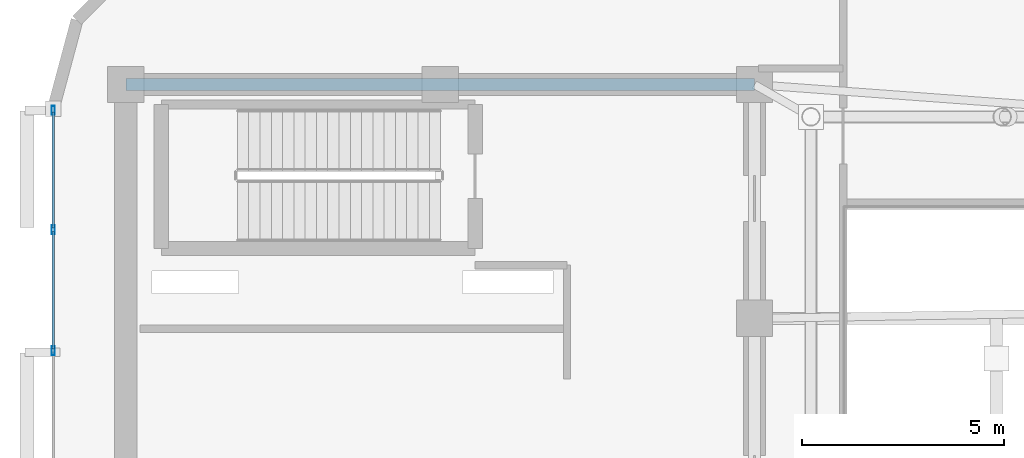
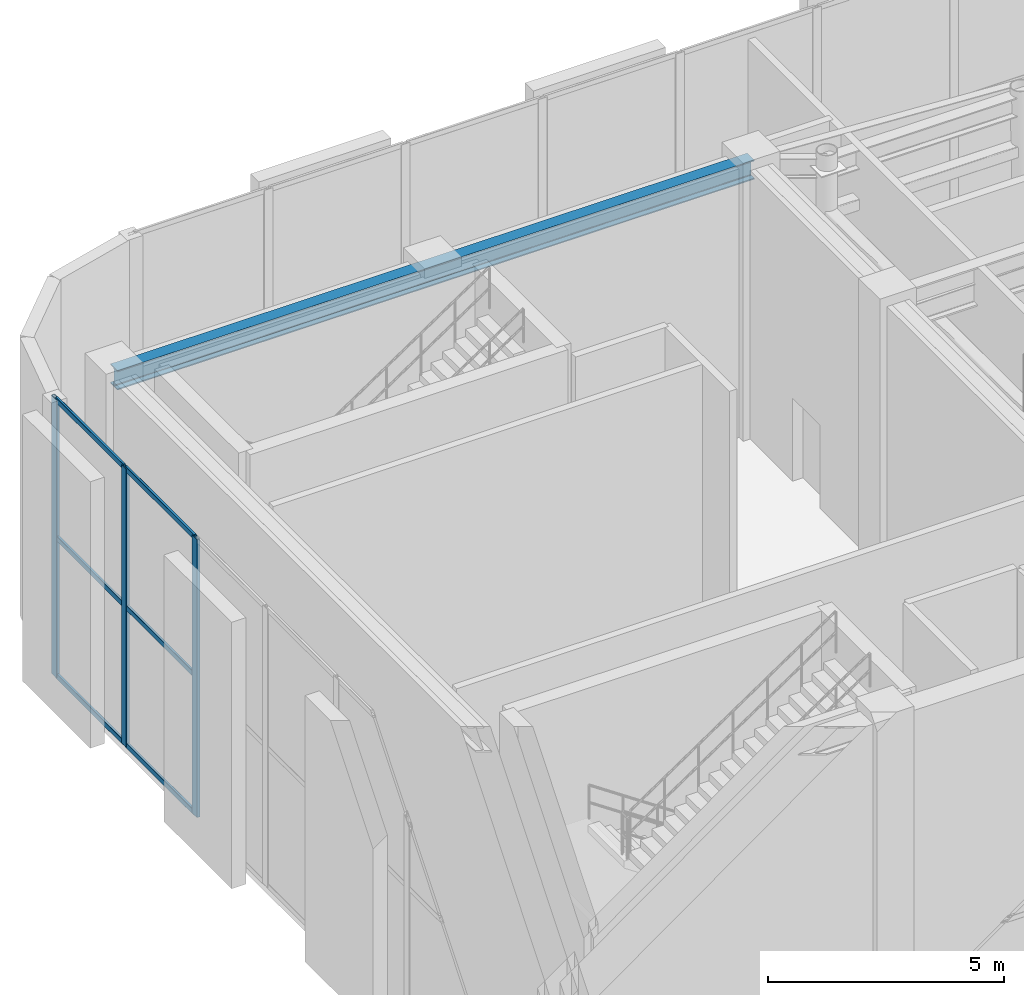
# One storey, part 7 of 20: 9 members, 1 beam, 1 element without a shape of its own.
"""IFC4 building model written with IfcOpenShell, lengths in metres."""

from ifc_helpers import new_model, si_unit, direction, frame, origin, origin_2d, place, context, subcontext, project, spatial, hollow_rectangle, i_section, extrude, material, layer, layer_set, material_profile, profile_set, type_object, element, aggregate, save


model = new_model("IFC4")

# Units and contexts
model_context = context("Model", 3, precision=1e-05, world=origin(), true_north=direction((0.0, 1.0)))
body_context = subcontext(model_context, "Body", "Model", "MODEL_VIEW")
ifc_project = project(units=[si_unit("LENGTHUNIT", "METRE"), si_unit("AREAUNIT", "SQUARE_METRE"), si_unit("VOLUMEUNIT", "CUBIC_METRE"), si_unit("PLANEANGLEUNIT", "RADIAN"), si_unit("MASSUNIT", "GRAM", prefix="KILO")], contexts=[model_context])

# Site, building, storey
site_placement = place(None, origin())
site = spatial("IfcSite", under=ifc_project, at=site_placement, CompositionType="ELEMENT")
building_placement = place(site_placement, origin())
building = spatial("IfcBuilding", under=site, at=building_placement, Name="An Khanh Terracotta Commons", CompositionType="ELEMENT")
storey_placement = place(building_placement, frame((0.0, 0.0, 308.0)))
storey = spatial("IfcBuildingStorey", under=building, at=storey_placement, Name="L79 Crown Damper Gallery", CompositionType="ELEMENT", Elevation=308.0)

# Beam
ifc_material_1 = material(Name="Steel S355J2", Category="steel")
ifc_material_profile_1 = material_profile(ifc_material_1, i_section(OverallWidth=0.300048828125, OverallDepth=0.5, WebThickness=0.014404296875, FlangeThickness=0.028076171875, FilletRadius=0.027099609375, at=origin_2d()), Name="HEB500")
ifc_profile_set_1 = profile_set([ifc_material_profile_1], Name="Steel S355J2")
beam_type = type_object("IfcBeamType", Name="BM-HEB500", PredefinedType="BEAM", material=ifc_profile_set_1)
beam_placement = place(storey_placement, frame((21.60009765625, 33.60009765625, 6.699951171875), z_axis=(1.0, 0.0, 0.0), x_axis=(0.0, 1.0, 0.0)))
element("IfcBeam", 1, at=beam_placement, inside=storey, type_object=beam_type, Name="L79 Crown Damper Gallery Core North Coupling Girder", PredefinedType="BEAM", context=body_context, shape_type="SweptSolid", body=[
    extrude(i_section(OverallWidth=0.300048828125, OverallDepth=0.5, WebThickness=0.014404296875, FlangeThickness=0.028076171875, FilletRadius=0.027099609375, at=origin_2d()), origin(), (0.0, 0.0, 1.0), 15.599853515625),
])

# Curtain wall, members
ifc_material_2 = material(Name="Anodised Aluminium 6063-T6", Category="aluminium")
ifc_layer = layer(ifc_material_2, 0.25, Name="Anodised Aluminium 6063-T6")
ifc_layer_set = layer_set([ifc_layer], Name="Anodised Aluminium 6063-T6")
curtain_wall_type = type_object("IfcCurtainWallType", Name="CW-SYS-05", PredefinedType="USERDEFINED", material=ifc_layer_set)
curtain_wall_placement = place(storey_placement, origin())
curtain_wall = element("IfcCurtainWall", 2, at=curtain_wall_placement, inside=storey, type_object=curtain_wall_type, Name="L79 Crown Damper Gallery CW-05 Unitised Curtain Wall CW-L79-24", ObjectType="UNITISED CURTAIN WALL", PredefinedType="USERDEFINED")
ifc_material_profile_2 = material_profile(ifc_material_2, hollow_rectangle(XDim=0.080078125, YDim=0.219970703125, WallThickness=0.0048828125, InnerFilletRadius=0.0048828125, OuterFilletRadius=0.010009765625, at=origin_2d()), Name="RHS220x80x5")
ifc_profile_set_2 = profile_set([ifc_material_profile_2], Name="Anodised Aluminium 6063-T6")
member_type_1 = type_object("IfcMemberType", Name="CWM-RHS220x80x5", PredefinedType="MULLION", material=ifc_profile_set_2)
member_1_placement = place(storey_placement, frame((19.800048828125, 32.9599609375, 0.0), z_axis=(0.0, 0.0, 1.0), x_axis=(1.0, 0.0, 0.0)))
member_1 = element("IfcMember", 3, at=member_1_placement, type_object=member_type_1, Name="CW-05 mullion 1", PredefinedType="MULLION", context=body_context, shape_type="SweptSolid", body=[
    extrude(hollow_rectangle(XDim=0.080078125, YDim=0.219970703125, WallThickness=0.0048828125, InnerFilletRadius=0.0048828125, OuterFilletRadius=0.010009765625, at=origin_2d()), origin(), (0.0, 0.0, 1.0), 7.199951171875),
])
member_2_placement = place(storey_placement, frame((19.800048828125, 30.0, 0.0), z_axis=(0.0, 0.0, 1.0), x_axis=(1.0, 0.0, 0.0)))
member_2 = element("IfcMember", 4, at=member_2_placement, type_object=member_type_1, Name="CW-05 mullion 2", PredefinedType="MULLION", context=body_context, shape_type="SweptSolid", body=[
    extrude(hollow_rectangle(XDim=0.080078125, YDim=0.219970703125, WallThickness=0.0048828125, InnerFilletRadius=0.0048828125, OuterFilletRadius=0.010009765625, at=origin_2d()), origin(), (0.0, 0.0, 1.0), 7.199951171875),
])
member_3_placement = place(storey_placement, frame((19.800048828125, 27.0, 0.0), z_axis=(0.0, 0.0, 1.0), x_axis=(1.0, 0.0, 0.0)))
member_3 = element("IfcMember", 5, at=member_3_placement, type_object=member_type_1, Name="CW-05 mullion 3", PredefinedType="MULLION", context=body_context, shape_type="SweptSolid", body=[
    extrude(hollow_rectangle(XDim=0.080078125, YDim=0.219970703125, WallThickness=0.0048828125, InnerFilletRadius=0.0048828125, OuterFilletRadius=0.010009765625, at=origin_2d()), origin(), (0.0, 0.0, 1.0), 7.199951171875),
])
ifc_material_profile_3 = material_profile(ifc_material_2, hollow_rectangle(XDim=0.06005859375, YDim=0.135009765625, WallThickness=0.003662109375, InnerFilletRadius=0.003662109375, OuterFilletRadius=0.007080078125, at=origin_2d()), Name="RHS135x60x3.6")
ifc_profile_set_3 = profile_set([ifc_material_profile_3], Name="Anodised Aluminium 6063-T6")
member_type_2 = type_object("IfcMemberType", Name="CWT-RHS135x60x3.6", PredefinedType="USERDEFINED", material=ifc_profile_set_3)
member_4_placement = place(storey_placement, frame((19.800048828125, 32.919921875, 0.030029296875), z_axis=(0.0, -1.0, 0.0), x_axis=(1.0, 0.0, 0.0)))
member_4 = element("IfcMember", 6, at=member_4_placement, type_object=member_type_2, Name="CW-05 transom 1.1", ObjectType="TRANSOM", PredefinedType="USERDEFINED", context=body_context, shape_type="SweptSolid", body=[
    extrude(hollow_rectangle(XDim=0.06005859375, YDim=0.135009765625, WallThickness=0.003662109375, InnerFilletRadius=0.003662109375, OuterFilletRadius=0.007080078125, at=origin_2d()), origin(), (0.0, 0.0, 1.0), 2.8798828125),
])
member_5_placement = place(storey_placement, frame((19.800048828125, 32.919921875, 3.60009765625), z_axis=(0.0, -1.0, 0.0), x_axis=(1.0, 0.0, 0.0)))
member_5 = element("IfcMember", 7, at=member_5_placement, type_object=member_type_2, Name="CW-05 transom 1.2", ObjectType="TRANSOM", PredefinedType="USERDEFINED", context=body_context, shape_type="SweptSolid", body=[
    extrude(hollow_rectangle(XDim=0.06005859375, YDim=0.135009765625, WallThickness=0.003662109375, InnerFilletRadius=0.003662109375, OuterFilletRadius=0.007080078125, at=origin_2d()), origin(), (0.0, 0.0, 1.0), 2.8798828125),
])
member_6_placement = place(storey_placement, frame((19.800048828125, 32.919921875, 7.169921875), z_axis=(0.0, -1.0, 0.0), x_axis=(1.0, 0.0, 0.0)))
member_6 = element("IfcMember", 8, at=member_6_placement, type_object=member_type_2, Name="CW-05 transom 1.3", ObjectType="TRANSOM", PredefinedType="USERDEFINED", context=body_context, shape_type="SweptSolid", body=[
    extrude(hollow_rectangle(XDim=0.06005859375, YDim=0.135009765625, WallThickness=0.003662109375, InnerFilletRadius=0.003662109375, OuterFilletRadius=0.007080078125, at=origin_2d()), origin(), (0.0, 0.0, 1.0), 2.8798828125),
])
member_7_placement = place(storey_placement, frame((19.800048828125, 29.9599609375, 0.030029296875), z_axis=(0.0, -1.0, 0.0), x_axis=(1.0, 0.0, 0.0)))
member_7 = element("IfcMember", 9, at=member_7_placement, type_object=member_type_2, Name="CW-05 transom 2.1", ObjectType="TRANSOM", PredefinedType="USERDEFINED", context=body_context, shape_type="SweptSolid", body=[
    extrude(hollow_rectangle(XDim=0.06005859375, YDim=0.135009765625, WallThickness=0.003662109375, InnerFilletRadius=0.003662109375, OuterFilletRadius=0.007080078125, at=origin_2d()), origin(), (0.0, 0.0, 1.0), 2.919921875),
])
member_8_placement = place(storey_placement, frame((19.800048828125, 29.9599609375, 3.60009765625), z_axis=(0.0, -1.0, 0.0), x_axis=(1.0, 0.0, 0.0)))
member_8 = element("IfcMember", 10, at=member_8_placement, type_object=member_type_2, Name="CW-05 transom 2.2", ObjectType="TRANSOM", PredefinedType="USERDEFINED", context=body_context, shape_type="SweptSolid", body=[
    extrude(hollow_rectangle(XDim=0.06005859375, YDim=0.135009765625, WallThickness=0.003662109375, InnerFilletRadius=0.003662109375, OuterFilletRadius=0.007080078125, at=origin_2d()), origin(), (0.0, 0.0, 1.0), 2.919921875),
])
member_9_placement = place(storey_placement, frame((19.800048828125, 29.9599609375, 7.169921875), z_axis=(0.0, -1.0, 0.0), x_axis=(1.0, 0.0, 0.0)))
member_9 = element("IfcMember", 11, at=member_9_placement, type_object=member_type_2, Name="CW-05 transom 2.3", ObjectType="TRANSOM", PredefinedType="USERDEFINED", context=body_context, shape_type="SweptSolid", body=[
    extrude(hollow_rectangle(XDim=0.06005859375, YDim=0.135009765625, WallThickness=0.003662109375, InnerFilletRadius=0.003662109375, OuterFilletRadius=0.007080078125, at=origin_2d()), origin(), (0.0, 0.0, 1.0), 2.919921875),
])
aggregate(curtain_wall, [member_1, member_2, member_3, member_4, member_5, member_6, member_7, member_8, member_9])

save(model, "model.ifc")
